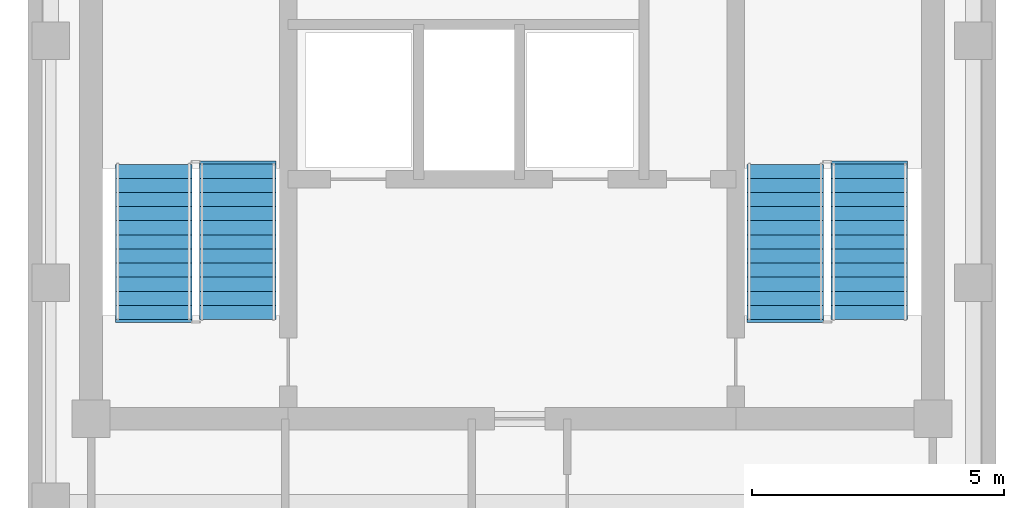
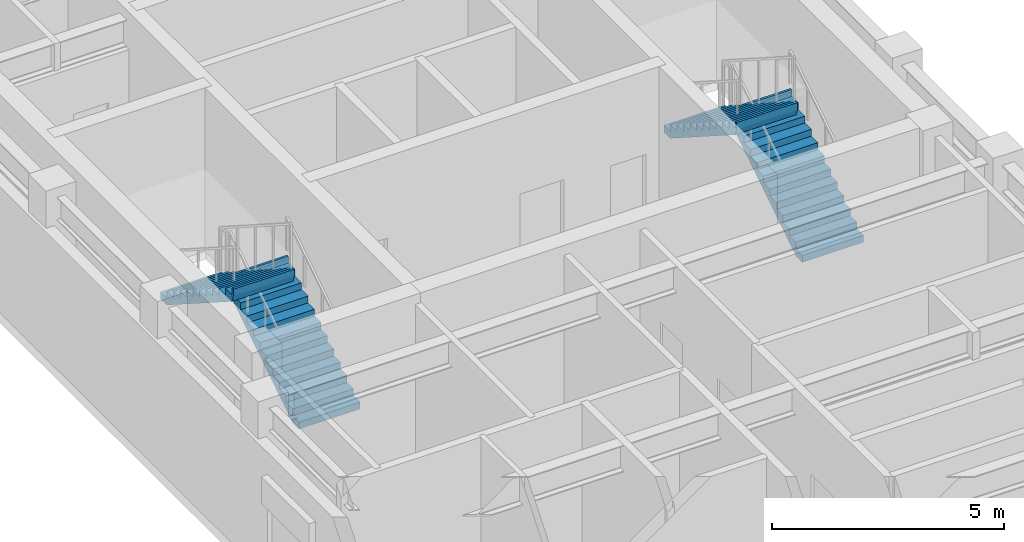
# One storey, part 5 of 6: 4 stair flights, 2 elements without a shape of their own.
"""IFC4 building model written with IfcOpenShell, lengths in metres."""

import ifcopenshell
import ifcopenshell.guid

model = None  # the IFC model being written
_history = None  # IfcOwnerHistory: only IFC2X3 demands one
_inside = {}  # id of a spatial element -> (the spatial element, [elements in it])
_under = {}  # id of a project, library or spatial element -> (it, [spatial elements below it])
_declared = {}  # id of a project -> (the project, [libraries it declares])
_typed = {}  # id of a type object -> (the type object, [elements of that type])
_made_of = {}  # id of a material, layer set ... -> (it, [elements and type objects made of it])


def new_model(schema):
    """Start an empty IFC model of exactly this schema.

    Asked for "IFC4X3", IfcOpenShell would pick the latest addendum, in which some entities
    have other attributes; the version numbers below select the first issue.
    IFC2X3 requires an IfcOwnerHistory on every rooted entity: one is made here for all.
    """
    global model, _history
    if schema == "IFC4X3":
        model = ifcopenshell.file(schema_version=(4, 3, 0, 0))
    else:
        model = ifcopenshell.file(schema=schema)
    _inside.clear()
    _under.clear()
    _declared.clear()
    _typed.clear()
    _made_of.clear()
    _history = None
    if model.schema == "IFC2X3":
        org = make("IfcOrganization", Name="unknown")
        user = make(
            "IfcPersonAndOrganization",
            ThePerson=make("IfcPerson", FamilyName="unknown"),
            TheOrganization=org,
        )
        app = make(
            "IfcApplication",
            ApplicationDeveloper=org,
            Version="unknown",
            ApplicationFullName="unknown",
            ApplicationIdentifier="unknown",
        )
        _history = make(
            "IfcOwnerHistory",
            OwningUser=user,
            OwningApplication=app,
            ChangeAction="ADDED",
            CreationDate=0,
        )
    return model


def make(cls, **values):
    """One entity of the class cls with the attributes given. An attribute that is None is left unset."""
    return model.create_entity(
        cls, **{name: value for name, value in values.items() if value is not None}
    )


def rooted(cls, **values):
    """An entity with a GlobalId (a new one), such as an element, a storey or a relation."""
    return make(cls, GlobalId=ifcopenshell.guid.new(), OwnerHistory=_history, **values)


def si_unit(unit_type, name, prefix=None):
    """IfcSIUnit, for example si_unit("LENGTHUNIT", "METRE", prefix="MILLI")."""
    return make("IfcSIUnit", UnitType=unit_type, Prefix=prefix, Name=name)


def assignment(units):
    """IfcUnitAssignment: the units of a project."""
    return None if units is None else make("IfcUnitAssignment", Units=units)


def point(xyz):
    """IfcCartesianPoint."""
    return None if xyz is None else make("IfcCartesianPoint", Coordinates=xyz)


def direction(xyz):
    """IfcDirection."""
    return None if xyz is None else make("IfcDirection", DirectionRatios=xyz)


def frame(location, z_axis=None, x_axis=None):
    """IfcAxis2Placement3D, a coordinate frame: its origin and axes. An axis left out is left unset."""
    return make(
        "IfcAxis2Placement3D",
        Location=point(location),
        Axis=direction(z_axis),
        RefDirection=direction(x_axis),
    )


def origin():
    """The frame at (0, 0, 0) with its axes left unset."""
    return frame((0.0, 0.0, 0.0))


def place(relative_to, where):
    """IfcLocalPlacement: puts the frame where relative to a parent placement (None: the world)."""
    return make(
        "IfcLocalPlacement", PlacementRelTo=relative_to, RelativePlacement=where
    )


def context(
    kind, dimensions, precision=None, world=None, true_north=None, identifier=None
):
    """IfcGeometricRepresentationContext, for example the 3D "Model" context."""
    return make(
        "IfcGeometricRepresentationContext",
        ContextIdentifier=identifier,
        ContextType=kind,
        CoordinateSpaceDimension=dimensions,
        Precision=precision,
        WorldCoordinateSystem=world,
        TrueNorth=true_north,
    )


def subcontext(parent, identifier, kind, view, scale=None):
    """IfcGeometricRepresentationSubContext, for example "Body" below "Model"."""
    return make(
        "IfcGeometricRepresentationSubContext",
        ContextIdentifier=identifier,
        ContextType=kind,
        ParentContext=parent,
        TargetScale=scale,
        TargetView=view,
    )


def project(units=None, contexts=None):
    """IfcProject with its units and contexts."""
    return rooted(
        "IfcProject",
        Name="project",
        RepresentationContexts=contexts,
        UnitsInContext=assignment(units),
    )


def spatial(cls, under=None, at=None, **own):
    """A site, building, storey or space (cls), placed at a placement, below another one or the project."""
    s = rooted(cls, ObjectPlacement=at, **own)
    if under is not None:
        _under.setdefault(under.id(), (under, []))[1].append(s)
    return s


def polyline(points):
    """IfcPolyline through the points."""
    return make("IfcPolyline", Points=[point(p) for p in points])


def outline(outer, holes=None, kind="AREA"):
    """IfcArbitraryClosedProfileDef: a profile drawn as a closed curve; with holes, ...WithVoids."""
    if holes is None:
        return make("IfcArbitraryClosedProfileDef", ProfileType=kind, OuterCurve=outer)
    return make(
        "IfcArbitraryProfileDefWithVoids",
        ProfileType=kind,
        OuterCurve=outer,
        InnerCurves=holes,
    )


def extrude(swept, where, along, depth):
    """IfcExtrudedAreaSolid: the profile swept, set in the frame where, extruded along a direction by depth."""
    return make(
        "IfcExtrudedAreaSolid",
        SweptArea=swept,
        Position=where,
        ExtrudedDirection=direction(along),
        Depth=depth,
    )


def shape(context_of_items, identifier, shape_type, items):
    """IfcShapeRepresentation: the items that make up one representation, for example the "Body"."""
    return make(
        "IfcShapeRepresentation",
        ContextOfItems=context_of_items,
        RepresentationIdentifier=identifier,
        RepresentationType=shape_type,
        Items=items,
    )


def material(Name=None, Category=None):
    """IfcMaterial."""
    return make("IfcMaterial", Name=Name, Category=Category)


def made_of(thing, what):
    """Note that an element or type object is made of a material, layer set ...; save() writes the relation."""
    if what is not None:
        _made_of.setdefault(what.id(), (what, []))[1].append(thing)
    return thing


def type_object(cls, material=None, **own):
    """A type object (cls), such as IfcWallType, which elements share."""
    return made_of(rooted(cls, **own), material)


def element(
    cls,
    number,
    at=None,
    inside=None,
    cuts=None,
    type_object=None,
    material=None,
    context=None,
    identifier="Body",
    shape_type=None,
    held_by="IfcProductDefinitionShape",
    body=None,
    shapes=None,
    **own,
):
    """One element of the class cls, such as IfcWall. Its Tag is "e" and its number.

    at: its placement. inside: the storey or other place that contains it. cuts: it is an
    opening in that element (IfcRelVoidsElement). A single representation is given by context,
    identifier, shape_type and body (its items); several are given by shapes. held_by: the class
    of the entity that holds the representations. save() writes the other relations.
    """
    e = rooted(cls, Tag="e%d" % number, ObjectPlacement=at, **own)
    if body is not None:
        shapes = [shape(context, identifier, shape_type, body)]
    if shapes is not None:
        e.Representation = make(held_by, Representations=shapes)
    if inside is not None:
        _inside.setdefault(inside.id(), (inside, []))[1].append(e)
    if cuts is not None:
        rooted(
            "IfcRelVoidsElement", RelatingBuildingElement=cuts, RelatedOpeningElement=e
        )
    if type_object is not None:
        _typed.setdefault(type_object.id(), (type_object, []))[1].append(e)
    return made_of(e, material)


def aggregate(whole, parts):
    """IfcRelAggregates: a whole, such as a stair, and the parts it consists of."""
    return rooted("IfcRelAggregates", RelatingObject=whole, RelatedObjects=parts)


def save(model, path):
    """Write the relations noted so far, then the file.

    IfcRelAggregates (storeys below a building ...), IfcRelContainedInSpatialStructure (elements
    in a storey), IfcRelDefinesByType, IfcRelAssociatesMaterial and IfcRelDeclares: one each for
    every whole, place, type object, material and project.
    """
    for whole, parts in _under.values():
        aggregate(whole, parts)
    for where, things in _inside.values():
        rooted(
            "IfcRelContainedInSpatialStructure",
            RelatedElements=things,
            RelatingStructure=where,
        )
    for kind, things in _typed.values():
        rooted("IfcRelDefinesByType", RelatedObjects=things, RelatingType=kind)
    for what, things in _made_of.values():
        rooted("IfcRelAssociatesMaterial", RelatedObjects=things, RelatingMaterial=what)
    for by, libraries in _declared.values():
        rooted("IfcRelDeclares", RelatingContext=by, RelatedDefinitions=libraries)
    model.write(path)


model = new_model("IFC4")

# Units and contexts
model_context = context("Model", 3, precision=1e-05, world=origin(), true_north=direction((0.0, 1.0)))
body_context = subcontext(model_context, "Body", "Model", "MODEL_VIEW")
ifc_project = project(units=[si_unit("LENGTHUNIT", "METRE"), si_unit("AREAUNIT", "SQUARE_METRE"), si_unit("VOLUMEUNIT", "CUBIC_METRE"), si_unit("PLANEANGLEUNIT", "RADIAN"), si_unit("MASSUNIT", "GRAM", prefix="KILO")], contexts=[model_context])

# Site, building, storey
site_placement = place(None, origin())
site = spatial("IfcSite", under=ifc_project, at=site_placement, CompositionType="ELEMENT")
building_placement = place(site_placement, origin())
building = spatial("IfcBuilding", under=site, at=building_placement, Name="Orvandelia Arch Residences", CompositionType="ELEMENT")
storey_placement = place(building_placement, frame((0.0, 0.0, 261.300048828125)))
storey = spatial("IfcBuildingStorey", under=building, at=storey_placement, Name="L68", CompositionType="ELEMENT", Elevation=261.300048828125)

# Stair, stair flights
ifc_material = material(Name="Concrete C40/50", Category="concrete")
stair_type = type_object("IfcStairType", Name="STAIR-RC-DOGLEG", PredefinedType="HALF_TURN_STAIR", material=ifc_material)
stair_1_placement = place(storey_placement, origin())
stair_1 = element("IfcStair", 1, at=stair_1_placement, inside=storey, type_object=stair_type, Name="L68 Protected Exit Stair ST-1", PredefinedType="HALF_TURN_STAIR")
stair_flight_type = type_object("IfcStairFlightType", Name="STFLT-RC-1520", PredefinedType="STRAIGHT", material=ifc_material)
stair_flight_1_placement = place(storey_placement, frame((8.9599609375, 32.8701171875, 0.0), z_axis=(0.0, 0.0, 1.0), x_axis=(0.0, 1.0, 0.0)))
stair_flight_1 = element("IfcStairFlight", 2, at=stair_flight_1_placement, type_object=stair_flight_type, Name="ST-1 flight 1", NumberOfRisers=12, NumberOfTreads=11, PredefinedType="STRAIGHT", RiserHeight=0.179166667, TreadLength=0.28, context=body_context, shape_type="SweptSolid", body=[
    extrude(outline(polyline([(0.0, 0.0), (0.0, 0.17919921875), (0.280029296875, 0.17919921875), (0.280029296875, 0.3583984375), (0.56005859375, 0.3583984375), (0.56005859375, 0.53759765625), (0.840087890625, 0.53759765625), (0.840087890625, 0.716552734375), (1.1201171875, 0.716552734375), (1.1201171875, 0.895751953125), (1.39990234375, 0.895751953125), (1.39990234375, 1.074951171875), (1.679931640625, 1.074951171875), (1.679931640625, 1.254150390625), (1.9599609375, 1.254150390625), (1.9599609375, 1.433349609375), (2.239990234375, 1.433349609375), (2.239990234375, 1.612548828125), (2.52001953125, 1.612548828125), (2.52001953125, 1.791748046875), (2.800048828125, 1.791748046875), (2.800048828125, 1.970947265625), (3.080078125, 1.970947265625), (3.080078125, 2.14990234375), (3.139892578125, 2.14990234375), (3.139892578125, 1.969970703125), (3.080078125, 1.79296875), (0.278076171875, 0.0), (0.0, 0.0)])), frame((0.0, 0.760009765625, 0.0), z_axis=(0.0, -1.0, 0.0), x_axis=(1.0, 0.0, 0.0)), (0.0, 0.0, 1.0), 1.52001953125),
])
stair_flight_2_placement = place(storey_placement, frame((7.2900390625, 35.949951171875, 2.14990234375), z_axis=(0.0, 0.0, 1.0), x_axis=(0.0, -1.0, 0.0)))
stair_flight_2 = element("IfcStairFlight", 3, at=stair_flight_2_placement, type_object=stair_flight_type, Name="ST-1 flight 2", NumberOfRisers=12, NumberOfTreads=11, PredefinedType="STRAIGHT", RiserHeight=0.179166667, TreadLength=0.28, context=body_context, shape_type="SweptSolid", body=[
    extrude(outline(polyline([(0.0, 0.0), (0.0, 0.17919921875), (0.280029296875, 0.17919921875), (0.280029296875, 0.3583984375), (0.56005859375, 0.3583984375), (0.56005859375, 0.53759765625), (0.840087890625, 0.53759765625), (0.840087890625, 0.716552734375), (1.1201171875, 0.716552734375), (1.1201171875, 0.895751953125), (1.39990234375, 0.895751953125), (1.39990234375, 1.074951171875), (1.679931640625, 1.074951171875), (1.679931640625, 1.254150390625), (1.9599609375, 1.254150390625), (1.9599609375, 1.433349609375), (2.239990234375, 1.433349609375), (2.239990234375, 1.612548828125), (2.52001953125, 1.612548828125), (2.52001953125, 1.791748046875), (2.800048828125, 1.791748046875), (2.800048828125, 1.970947265625), (3.080078125, 1.970947265625), (3.080078125, 2.14990234375), (3.139892578125, 2.14990234375), (3.139892578125, 1.969970703125), (3.080078125, 1.79296875), (0.278076171875, 0.0), (0.0, 0.0)])), frame((0.0, 0.760009765625, 0.0), z_axis=(0.0, -1.0, 0.0), x_axis=(1.0, 0.0, 0.0)), (0.0, 0.0, 1.0), 1.52001953125),
])
aggregate(stair_1, [stair_flight_1, stair_flight_2])

stair_2_placement = place(storey_placement, origin())
stair_2 = element("IfcStair", 4, at=stair_2_placement, inside=storey, type_object=stair_type, Name="L68 Protected Exit Stair ST-2", PredefinedType="HALF_TURN_STAIR")
stair_flight_3_placement = place(storey_placement, frame((21.489990234375, 32.8701171875, 0.0), z_axis=(0.0, 0.0, 1.0), x_axis=(0.0, 1.0, 0.0)))
stair_flight_3 = element("IfcStairFlight", 5, at=stair_flight_3_placement, type_object=stair_flight_type, Name="ST-2 flight 1", NumberOfRisers=12, NumberOfTreads=11, PredefinedType="STRAIGHT", RiserHeight=0.179166667, TreadLength=0.28, context=body_context, shape_type="SweptSolid", body=[
    extrude(outline(polyline([(0.0, 0.0), (0.0, 0.17919921875), (0.280029296875, 0.17919921875), (0.280029296875, 0.3583984375), (0.56005859375, 0.3583984375), (0.56005859375, 0.53759765625), (0.840087890625, 0.53759765625), (0.840087890625, 0.716552734375), (1.1201171875, 0.716552734375), (1.1201171875, 0.895751953125), (1.39990234375, 0.895751953125), (1.39990234375, 1.074951171875), (1.679931640625, 1.074951171875), (1.679931640625, 1.254150390625), (1.9599609375, 1.254150390625), (1.9599609375, 1.433349609375), (2.239990234375, 1.433349609375), (2.239990234375, 1.612548828125), (2.52001953125, 1.612548828125), (2.52001953125, 1.791748046875), (2.800048828125, 1.791748046875), (2.800048828125, 1.970947265625), (3.080078125, 1.970947265625), (3.080078125, 2.14990234375), (3.139892578125, 2.14990234375), (3.139892578125, 1.969970703125), (3.080078125, 1.79296875), (0.278076171875, 0.0), (0.0, 0.0)])), frame((0.0, 0.760009765625, 0.0), z_axis=(0.0, -1.0, 0.0), x_axis=(1.0, 0.0, 0.0)), (0.0, 0.0, 1.0), 1.52001953125),
])
stair_flight_4_placement = place(storey_placement, frame((19.820068359375, 35.949951171875, 2.14990234375), z_axis=(0.0, 0.0, 1.0), x_axis=(0.0, -1.0, 0.0)))
stair_flight_4 = element("IfcStairFlight", 6, at=stair_flight_4_placement, type_object=stair_flight_type, Name="ST-2 flight 2", NumberOfRisers=12, NumberOfTreads=11, PredefinedType="STRAIGHT", RiserHeight=0.179166667, TreadLength=0.28, context=body_context, shape_type="SweptSolid", body=[
    extrude(outline(polyline([(0.0, 0.0), (0.0, 0.17919921875), (0.280029296875, 0.17919921875), (0.280029296875, 0.3583984375), (0.56005859375, 0.3583984375), (0.56005859375, 0.53759765625), (0.840087890625, 0.53759765625), (0.840087890625, 0.716552734375), (1.1201171875, 0.716552734375), (1.1201171875, 0.895751953125), (1.39990234375, 0.895751953125), (1.39990234375, 1.074951171875), (1.679931640625, 1.074951171875), (1.679931640625, 1.254150390625), (1.9599609375, 1.254150390625), (1.9599609375, 1.433349609375), (2.239990234375, 1.433349609375), (2.239990234375, 1.612548828125), (2.52001953125, 1.612548828125), (2.52001953125, 1.791748046875), (2.800048828125, 1.791748046875), (2.800048828125, 1.970947265625), (3.080078125, 1.970947265625), (3.080078125, 2.14990234375), (3.139892578125, 2.14990234375), (3.139892578125, 1.969970703125), (3.080078125, 1.79296875), (0.278076171875, 0.0), (0.0, 0.0)])), frame((0.0, 0.760009765625, 0.0), z_axis=(0.0, -1.0, 0.0), x_axis=(1.0, 0.0, 0.0)), (0.0, 0.0, 1.0), 1.52001953125),
])
aggregate(stair_2, [stair_flight_3, stair_flight_4])

save(model, "model.ifc")
